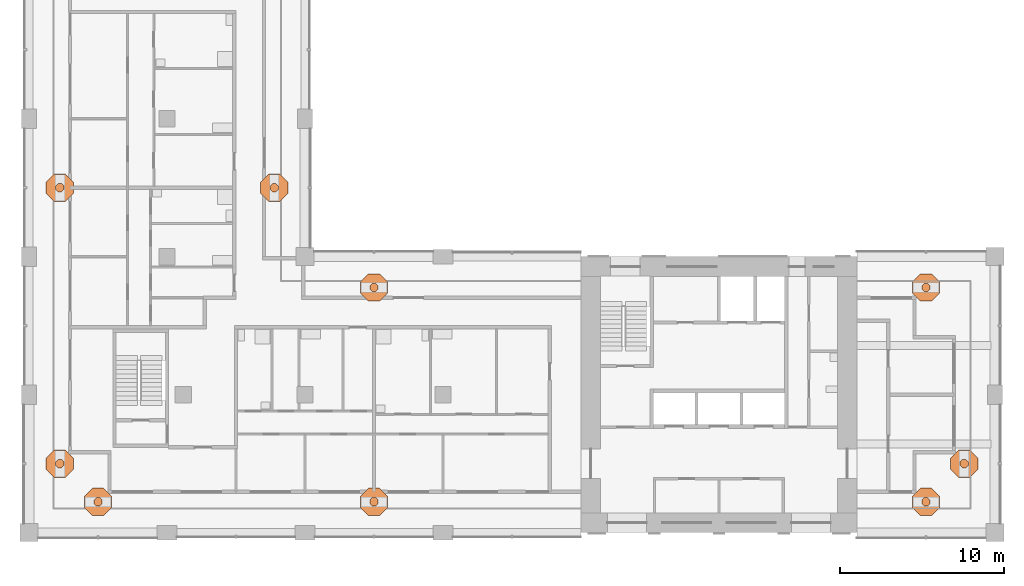
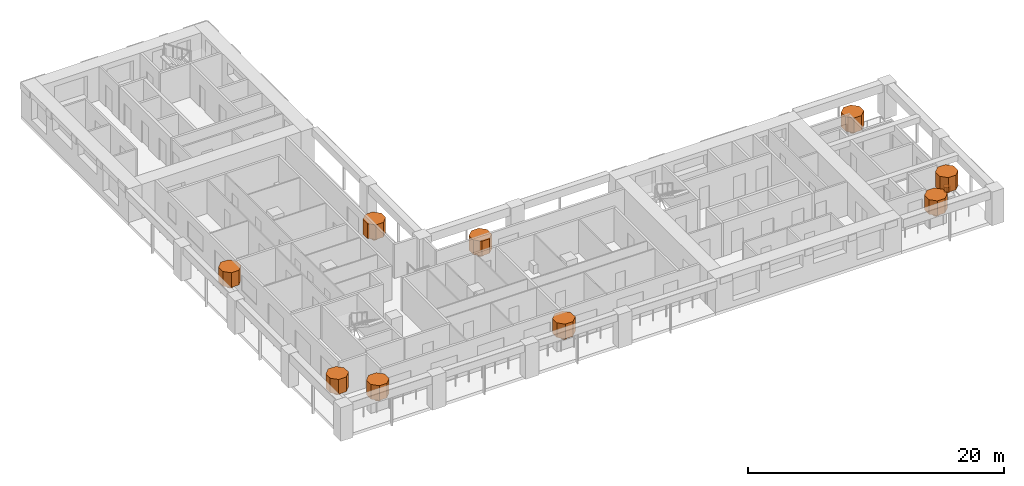
# One storey, part 13 of 13: 18 geographic elements.
"""IFC4 building model written with IfcOpenShell, lengths in metres."""

import ifcopenshell
import ifcopenshell.guid

model = None  # the IFC model being written
_history = None  # IfcOwnerHistory: only IFC2X3 demands one
_inside = {}  # id of a spatial element -> (the spatial element, [elements in it])
_under = {}  # id of a project, library or spatial element -> (it, [spatial elements below it])
_declared = {}  # id of a project -> (the project, [libraries it declares])
_typed = {}  # id of a type object -> (the type object, [elements of that type])
_made_of = {}  # id of a material, layer set ... -> (it, [elements and type objects made of it])


def new_model(schema):
    """Start an empty IFC model of exactly this schema.

    Asked for "IFC4X3", IfcOpenShell would pick the latest addendum, in which some entities
    have other attributes; the version numbers below select the first issue.
    IFC2X3 requires an IfcOwnerHistory on every rooted entity: one is made here for all.
    """
    global model, _history
    if schema == "IFC4X3":
        model = ifcopenshell.file(schema_version=(4, 3, 0, 0))
    else:
        model = ifcopenshell.file(schema=schema)
    _inside.clear()
    _under.clear()
    _declared.clear()
    _typed.clear()
    _made_of.clear()
    _history = None
    if model.schema == "IFC2X3":
        org = make("IfcOrganization", Name="unknown")
        user = make(
            "IfcPersonAndOrganization",
            ThePerson=make("IfcPerson", FamilyName="unknown"),
            TheOrganization=org,
        )
        app = make(
            "IfcApplication",
            ApplicationDeveloper=org,
            Version="unknown",
            ApplicationFullName="unknown",
            ApplicationIdentifier="unknown",
        )
        _history = make(
            "IfcOwnerHistory",
            OwningUser=user,
            OwningApplication=app,
            ChangeAction="ADDED",
            CreationDate=0,
        )
    return model


def make(cls, **values):
    """One entity of the class cls with the attributes given. An attribute that is None is left unset."""
    return model.create_entity(
        cls, **{name: value for name, value in values.items() if value is not None}
    )


def rooted(cls, **values):
    """An entity with a GlobalId (a new one), such as an element, a storey or a relation."""
    return make(cls, GlobalId=ifcopenshell.guid.new(), OwnerHistory=_history, **values)


def si_unit(unit_type, name, prefix=None):
    """IfcSIUnit, for example si_unit("LENGTHUNIT", "METRE", prefix="MILLI")."""
    return make("IfcSIUnit", UnitType=unit_type, Prefix=prefix, Name=name)


def assignment(units):
    """IfcUnitAssignment: the units of a project."""
    return None if units is None else make("IfcUnitAssignment", Units=units)


def point(xyz):
    """IfcCartesianPoint."""
    return None if xyz is None else make("IfcCartesianPoint", Coordinates=xyz)


def direction(xyz):
    """IfcDirection."""
    return None if xyz is None else make("IfcDirection", DirectionRatios=xyz)


def frame(location, z_axis=None, x_axis=None):
    """IfcAxis2Placement3D, a coordinate frame: its origin and axes. An axis left out is left unset."""
    return make(
        "IfcAxis2Placement3D",
        Location=point(location),
        Axis=direction(z_axis),
        RefDirection=direction(x_axis),
    )


def origin():
    """The frame at (0, 0, 0) with its axes left unset."""
    return frame((0.0, 0.0, 0.0))


def place(relative_to, where):
    """IfcLocalPlacement: puts the frame where relative to a parent placement (None: the world)."""
    return make(
        "IfcLocalPlacement", PlacementRelTo=relative_to, RelativePlacement=where
    )


def context(
    kind, dimensions, precision=None, world=None, true_north=None, identifier=None
):
    """IfcGeometricRepresentationContext, for example the 3D "Model" context."""
    return make(
        "IfcGeometricRepresentationContext",
        ContextIdentifier=identifier,
        ContextType=kind,
        CoordinateSpaceDimension=dimensions,
        Precision=precision,
        WorldCoordinateSystem=world,
        TrueNorth=true_north,
    )


def subcontext(parent, identifier, kind, view, scale=None):
    """IfcGeometricRepresentationSubContext, for example "Body" below "Model"."""
    return make(
        "IfcGeometricRepresentationSubContext",
        ContextIdentifier=identifier,
        ContextType=kind,
        ParentContext=parent,
        TargetScale=scale,
        TargetView=view,
    )


def project(units=None, contexts=None):
    """IfcProject with its units and contexts."""
    return rooted(
        "IfcProject",
        Name="project",
        RepresentationContexts=contexts,
        UnitsInContext=assignment(units),
    )


def spatial(cls, under=None, at=None, **own):
    """A site, building, storey or space (cls), placed at a placement, below another one or the project."""
    s = rooted(cls, ObjectPlacement=at, **own)
    if under is not None:
        _under.setdefault(under.id(), (under, []))[1].append(s)
    return s


def polyline(points):
    """IfcPolyline through the points."""
    return make("IfcPolyline", Points=[point(p) for p in points])


def outline(outer, holes=None, kind="AREA"):
    """IfcArbitraryClosedProfileDef: a profile drawn as a closed curve; with holes, ...WithVoids."""
    if holes is None:
        return make("IfcArbitraryClosedProfileDef", ProfileType=kind, OuterCurve=outer)
    return make(
        "IfcArbitraryProfileDefWithVoids",
        ProfileType=kind,
        OuterCurve=outer,
        InnerCurves=holes,
    )


def extrude(swept, where, along, depth):
    """IfcExtrudedAreaSolid: the profile swept, set in the frame where, extruded along a direction by depth."""
    return make(
        "IfcExtrudedAreaSolid",
        SweptArea=swept,
        Position=where,
        ExtrudedDirection=direction(along),
        Depth=depth,
    )


def shape(context_of_items, identifier, shape_type, items):
    """IfcShapeRepresentation: the items that make up one representation, for example the "Body"."""
    return make(
        "IfcShapeRepresentation",
        ContextOfItems=context_of_items,
        RepresentationIdentifier=identifier,
        RepresentationType=shape_type,
        Items=items,
    )


def material(Name=None, Category=None):
    """IfcMaterial."""
    return make("IfcMaterial", Name=Name, Category=Category)


def made_of(thing, what):
    """Note that an element or type object is made of a material, layer set ...; save() writes the relation."""
    if what is not None:
        _made_of.setdefault(what.id(), (what, []))[1].append(thing)
    return thing


def element(
    cls,
    number,
    at=None,
    inside=None,
    cuts=None,
    type_object=None,
    material=None,
    context=None,
    identifier="Body",
    shape_type=None,
    held_by="IfcProductDefinitionShape",
    body=None,
    shapes=None,
    **own,
):
    """One element of the class cls, such as IfcWall. Its Tag is "e" and its number.

    at: its placement. inside: the storey or other place that contains it. cuts: it is an
    opening in that element (IfcRelVoidsElement). A single representation is given by context,
    identifier, shape_type and body (its items); several are given by shapes. held_by: the class
    of the entity that holds the representations. save() writes the other relations.
    """
    e = rooted(cls, Tag="e%d" % number, ObjectPlacement=at, **own)
    if body is not None:
        shapes = [shape(context, identifier, shape_type, body)]
    if shapes is not None:
        e.Representation = make(held_by, Representations=shapes)
    if inside is not None:
        _inside.setdefault(inside.id(), (inside, []))[1].append(e)
    if cuts is not None:
        rooted(
            "IfcRelVoidsElement", RelatingBuildingElement=cuts, RelatedOpeningElement=e
        )
    if type_object is not None:
        _typed.setdefault(type_object.id(), (type_object, []))[1].append(e)
    return made_of(e, material)


def aggregate(whole, parts):
    """IfcRelAggregates: a whole, such as a stair, and the parts it consists of."""
    return rooted("IfcRelAggregates", RelatingObject=whole, RelatedObjects=parts)


def save(model, path):
    """Write the relations noted so far, then the file.

    IfcRelAggregates (storeys below a building ...), IfcRelContainedInSpatialStructure (elements
    in a storey), IfcRelDefinesByType, IfcRelAssociatesMaterial and IfcRelDeclares: one each for
    every whole, place, type object, material and project.
    """
    for whole, parts in _under.values():
        aggregate(whole, parts)
    for where, things in _inside.values():
        rooted(
            "IfcRelContainedInSpatialStructure",
            RelatedElements=things,
            RelatingStructure=where,
        )
    for kind, things in _typed.values():
        rooted("IfcRelDefinesByType", RelatedObjects=things, RelatingType=kind)
    for what, things in _made_of.values():
        rooted("IfcRelAssociatesMaterial", RelatedObjects=things, RelatingMaterial=what)
    for by, libraries in _declared.values():
        rooted("IfcRelDeclares", RelatingContext=by, RelatedDefinitions=libraries)
    model.write(path)


model = new_model("IFC4")

# Units and contexts
model_context = context("Model", 3, precision=1e-05, world=origin(), true_north=direction((0.0, 1.0)))
body_context = subcontext(model_context, "Body", "Model", "MODEL_VIEW")
ifc_project = project(units=[si_unit("LENGTHUNIT", "METRE"), si_unit("AREAUNIT", "SQUARE_METRE"), si_unit("VOLUMEUNIT", "CUBIC_METRE"), si_unit("PLANEANGLEUNIT", "RADIAN"), si_unit("MASSUNIT", "GRAM", prefix="KILO")], contexts=[model_context])

# Site, building, storey
site_placement = place(None, origin())
site = spatial("IfcSite", under=ifc_project, at=site_placement, CompositionType="ELEMENT")
building_placement = place(site_placement, origin())
building = spatial("IfcBuilding", under=site, at=building_placement, Name="Vermilion Gate Residences", CompositionType="ELEMENT")
storey_placement = place(building_placement, frame((0.0, 0.0, 179.199951171875)))
storey = spatial("IfcBuildingStorey", under=building, at=storey_placement, Name="L46", CompositionType="ELEMENT", Elevation=179.199951171875)

# Geographic elements
ifc_material = material(Name="Foliage")
geographic_element_1_placement = place(storey_placement, frame((0.0, 0.0, 0.900146484375)))
element("IfcGeographicElement", 1, at=geographic_element_1_placement, inside=storey, material=ifc_material, Name="Tree (black pine)", ObjectType="TREE", PredefinedType="USERDEFINED", context=body_context, shape_type="SweptSolid", body=[
    extrude(outline(polyline([(12.85400390625, 10.380126953125), (12.705078125, 10.529052734375), (12.494873046875, 10.529052734375), (12.345947265625, 10.380126953125), (12.345947265625, 10.169921875), (12.494873046875, 10.02099609375), (12.705078125, 10.02099609375), (12.85400390625, 10.169921875), (12.85400390625, 10.380126953125)])), origin(), (0.0, 0.0, 1.0), 0.52001953125),
])
geographic_element_2_placement = place(storey_placement, frame((0.0, 0.0, 1.420166015625)))
element("IfcGeographicElement", 2, at=geographic_element_2_placement, inside=storey, material=ifc_material, Name="Tree crown (black pine)", ObjectType="TREE", PredefinedType="USERDEFINED", context=body_context, shape_type="SweptSolid", body=[
    extrude(outline(polyline([(13.431396484375, 10.619384765625), (12.9443359375, 11.1064453125), (12.255615234375, 11.1064453125), (11.7685546875, 10.619384765625), (11.7685546875, 9.9306640625), (12.255615234375, 9.443603515625), (12.9443359375, 9.443603515625), (13.431396484375, 9.9306640625), (13.431396484375, 10.619384765625)])), origin(), (0.0, 0.0, 1.0), 1.39990234375),
])
geographic_element_3_placement = place(storey_placement, frame((0.0, 0.0, 0.900146484375)))
element("IfcGeographicElement", 3, at=geographic_element_3_placement, inside=storey, material=ifc_material, Name="Tree (maple)", ObjectType="TREE", PredefinedType="USERDEFINED", context=body_context, shape_type="SweptSolid", body=[
    extrude(outline(polyline([(29.654052734375, 10.380126953125), (29.505126953125, 10.529052734375), (29.294921875, 10.529052734375), (29.14599609375, 10.380126953125), (29.14599609375, 10.169921875), (29.294921875, 10.02099609375), (29.505126953125, 10.02099609375), (29.654052734375, 10.169921875), (29.654052734375, 10.380126953125)])), origin(), (0.0, 0.0, 1.0), 0.52001953125),
])
geographic_element_4_placement = place(storey_placement, frame((0.0, 0.0, 1.420166015625)))
element("IfcGeographicElement", 4, at=geographic_element_4_placement, inside=storey, material=ifc_material, Name="Tree crown (maple)", ObjectType="TREE", PredefinedType="USERDEFINED", context=body_context, shape_type="SweptSolid", body=[
    extrude(outline(polyline([(30.2314453125, 10.619384765625), (29.744384765625, 11.1064453125), (29.0556640625, 11.1064453125), (28.568603515625, 10.619384765625), (28.568603515625, 9.9306640625), (29.0556640625, 9.443603515625), (29.744384765625, 9.443603515625), (30.2314453125, 9.9306640625), (30.2314453125, 10.619384765625)])), origin(), (0.0, 0.0, 1.0), 1.39990234375),
])
geographic_element_5_placement = place(storey_placement, frame((0.0, 0.0, 0.900146484375)))
element("IfcGeographicElement", 5, at=geographic_element_5_placement, inside=storey, material=ifc_material, Name="Tree (maple)", ObjectType="TREE", PredefinedType="USERDEFINED", context=body_context, shape_type="SweptSolid", body=[
    extrude(outline(polyline([(63.254150390625, 10.380126953125), (63.105224609375, 10.529052734375), (62.894775390625, 10.529052734375), (62.745849609375, 10.380126953125), (62.745849609375, 10.169921875), (62.894775390625, 10.02099609375), (63.105224609375, 10.02099609375), (63.254150390625, 10.169921875), (63.254150390625, 10.380126953125)])), origin(), (0.0, 0.0, 1.0), 0.52001953125),
])
geographic_element_6_placement = place(storey_placement, frame((0.0, 0.0, 1.420166015625)))
element("IfcGeographicElement", 6, at=geographic_element_6_placement, inside=storey, material=ifc_material, Name="Tree crown (maple)", ObjectType="TREE", PredefinedType="USERDEFINED", context=body_context, shape_type="SweptSolid", body=[
    extrude(outline(polyline([(63.83154296875, 10.619384765625), (63.344482421875, 11.1064453125), (62.655517578125, 11.1064453125), (62.16845703125, 10.619384765625), (62.16845703125, 9.9306640625), (62.655517578125, 9.443603515625), (63.344482421875, 9.443603515625), (63.83154296875, 9.9306640625), (63.83154296875, 10.619384765625)])), origin(), (0.0, 0.0, 1.0), 1.39990234375),
])
geographic_element_7_placement = place(storey_placement, frame((0.0, 0.0, 0.900146484375)))
element("IfcGeographicElement", 7, at=geographic_element_7_placement, inside=storey, material=ifc_material, Name="Tree (black pine)", ObjectType="TREE", PredefinedType="USERDEFINED", context=body_context, shape_type="SweptSolid", body=[
    extrude(outline(polyline([(65.5791015625, 12.705078125), (65.43017578125, 12.85400390625), (65.2197265625, 12.85400390625), (65.07080078125, 12.705078125), (65.07080078125, 12.494873046875), (65.2197265625, 12.345947265625), (65.43017578125, 12.345947265625), (65.5791015625, 12.494873046875), (65.5791015625, 12.705078125)])), origin(), (0.0, 0.0, 1.0), 0.52001953125),
])
geographic_element_8_placement = place(storey_placement, frame((0.0, 0.0, 1.420166015625)))
element("IfcGeographicElement", 8, at=geographic_element_8_placement, inside=storey, material=ifc_material, Name="Tree crown (black pine)", ObjectType="TREE", PredefinedType="USERDEFINED", context=body_context, shape_type="SweptSolid", body=[
    extrude(outline(polyline([(66.156494140625, 12.9443359375), (65.66943359375, 13.431396484375), (64.980712890625, 13.431396484375), (64.493408203125, 12.9443359375), (64.493408203125, 12.255615234375), (64.980712890625, 11.7685546875), (65.66943359375, 11.7685546875), (66.156494140625, 12.255615234375), (66.156494140625, 12.9443359375)])), origin(), (0.0, 0.0, 1.0), 1.39990234375),
])
geographic_element_9_placement = place(storey_placement, frame((0.0, 0.0, 0.900146484375)))
element("IfcGeographicElement", 9, at=geographic_element_9_placement, inside=storey, material=ifc_material, Name="Tree (maple)", ObjectType="TREE", PredefinedType="USERDEFINED", context=body_context, shape_type="SweptSolid", body=[
    extrude(outline(polyline([(29.654052734375, 23.43017578125), (29.505126953125, 23.5791015625), (29.294921875, 23.5791015625), (29.14599609375, 23.43017578125), (29.14599609375, 23.2197265625), (29.294921875, 23.07080078125), (29.505126953125, 23.07080078125), (29.654052734375, 23.2197265625), (29.654052734375, 23.43017578125)])), origin(), (0.0, 0.0, 1.0), 0.52001953125),
])
geographic_element_10_placement = place(storey_placement, frame((0.0, 0.0, 1.420166015625)))
element("IfcGeographicElement", 10, at=geographic_element_10_placement, inside=storey, material=ifc_material, Name="Tree crown (maple)", ObjectType="TREE", PredefinedType="USERDEFINED", context=body_context, shape_type="SweptSolid", body=[
    extrude(outline(polyline([(30.2314453125, 23.66943359375), (29.744384765625, 24.156494140625), (29.0556640625, 24.156494140625), (28.568603515625, 23.66943359375), (28.568603515625, 22.980712890625), (29.0556640625, 22.493408203125), (29.744384765625, 22.493408203125), (30.2314453125, 22.980712890625), (30.2314453125, 23.66943359375)])), origin(), (0.0, 0.0, 1.0), 1.39990234375),
])
geographic_element_11_placement = place(storey_placement, frame((0.0, 0.0, 0.900146484375)))
element("IfcGeographicElement", 11, at=geographic_element_11_placement, inside=storey, material=ifc_material, Name="Tree (maple)", ObjectType="TREE", PredefinedType="USERDEFINED", context=body_context, shape_type="SweptSolid", body=[
    extrude(outline(polyline([(63.254150390625, 23.43017578125), (63.105224609375, 23.5791015625), (62.894775390625, 23.5791015625), (62.745849609375, 23.43017578125), (62.745849609375, 23.2197265625), (62.894775390625, 23.07080078125), (63.105224609375, 23.07080078125), (63.254150390625, 23.2197265625), (63.254150390625, 23.43017578125)])), origin(), (0.0, 0.0, 1.0), 0.52001953125),
])
geographic_element_12_placement = place(storey_placement, frame((0.0, 0.0, 1.420166015625)))
element("IfcGeographicElement", 12, at=geographic_element_12_placement, inside=storey, material=ifc_material, Name="Tree crown (maple)", ObjectType="TREE", PredefinedType="USERDEFINED", context=body_context, shape_type="SweptSolid", body=[
    extrude(outline(polyline([(63.83154296875, 23.66943359375), (63.344482421875, 24.156494140625), (62.655517578125, 24.156494140625), (62.16845703125, 23.66943359375), (62.16845703125, 22.980712890625), (62.655517578125, 22.493408203125), (63.344482421875, 22.493408203125), (63.83154296875, 22.980712890625), (63.83154296875, 23.66943359375)])), origin(), (0.0, 0.0, 1.0), 1.39990234375),
])
geographic_element_13_placement = place(storey_placement, frame((0.0, 0.0, 0.900146484375)))
element("IfcGeographicElement", 13, at=geographic_element_13_placement, inside=storey, material=ifc_material, Name="Tree (maple)", ObjectType="TREE", PredefinedType="USERDEFINED", context=body_context, shape_type="SweptSolid", body=[
    extrude(outline(polyline([(23.5791015625, 29.505126953125), (23.43017578125, 29.654052734375), (23.2197265625, 29.654052734375), (23.07080078125, 29.505126953125), (23.07080078125, 29.294921875), (23.2197265625, 29.14599609375), (23.43017578125, 29.14599609375), (23.5791015625, 29.294921875), (23.5791015625, 29.505126953125)])), origin(), (0.0, 0.0, 1.0), 0.52001953125),
])
geographic_element_14_placement = place(storey_placement, frame((0.0, 0.0, 1.420166015625)))
element("IfcGeographicElement", 14, at=geographic_element_14_placement, inside=storey, material=ifc_material, Name="Tree crown (maple)", ObjectType="TREE", PredefinedType="USERDEFINED", context=body_context, shape_type="SweptSolid", body=[
    extrude(outline(polyline([(24.156494140625, 29.744384765625), (23.66943359375, 30.2314453125), (22.980712890625, 30.2314453125), (22.493408203125, 29.744384765625), (22.493408203125, 29.0556640625), (22.980712890625, 28.568603515625), (23.66943359375, 28.568603515625), (24.156494140625, 29.0556640625), (24.156494140625, 29.744384765625)])), origin(), (0.0, 0.0, 1.0), 1.39990234375),
])
geographic_element_15_placement = place(storey_placement, frame((0.0, 0.0, 0.900146484375)))
element("IfcGeographicElement", 15, at=geographic_element_15_placement, inside=storey, material=ifc_material, Name="Tree (black pine)", ObjectType="TREE", PredefinedType="USERDEFINED", context=body_context, shape_type="SweptSolid", body=[
    extrude(outline(polyline([(10.529052734375, 12.705078125), (10.380126953125, 12.85400390625), (10.169921875, 12.85400390625), (10.02099609375, 12.705078125), (10.02099609375, 12.494873046875), (10.169921875, 12.345947265625), (10.380126953125, 12.345947265625), (10.529052734375, 12.494873046875), (10.529052734375, 12.705078125)])), origin(), (0.0, 0.0, 1.0), 0.52001953125),
])
geographic_element_16_placement = place(storey_placement, frame((0.0, 0.0, 1.420166015625)))
element("IfcGeographicElement", 16, at=geographic_element_16_placement, inside=storey, material=ifc_material, Name="Tree crown (black pine)", ObjectType="TREE", PredefinedType="USERDEFINED", context=body_context, shape_type="SweptSolid", body=[
    extrude(outline(polyline([(11.1064453125, 12.9443359375), (10.619384765625, 13.431396484375), (9.9306640625, 13.431396484375), (9.443603515625, 12.9443359375), (9.443603515625, 12.255615234375), (9.9306640625, 11.7685546875), (10.619384765625, 11.7685546875), (11.1064453125, 12.255615234375), (11.1064453125, 12.9443359375)])), origin(), (0.0, 0.0, 1.0), 1.39990234375),
])
geographic_element_17_placement = place(storey_placement, frame((0.0, 0.0, 0.900146484375)))
element("IfcGeographicElement", 17, at=geographic_element_17_placement, inside=storey, material=ifc_material, Name="Tree (maple)", ObjectType="TREE", PredefinedType="USERDEFINED", context=body_context, shape_type="SweptSolid", body=[
    extrude(outline(polyline([(10.529052734375, 29.505126953125), (10.380126953125, 29.654052734375), (10.169921875, 29.654052734375), (10.02099609375, 29.505126953125), (10.02099609375, 29.294921875), (10.169921875, 29.14599609375), (10.380126953125, 29.14599609375), (10.529052734375, 29.294921875), (10.529052734375, 29.505126953125)])), origin(), (0.0, 0.0, 1.0), 0.52001953125),
])
geographic_element_18_placement = place(storey_placement, frame((0.0, 0.0, 1.420166015625)))
element("IfcGeographicElement", 18, at=geographic_element_18_placement, inside=storey, material=ifc_material, Name="Tree crown (maple)", ObjectType="TREE", PredefinedType="USERDEFINED", context=body_context, shape_type="SweptSolid", body=[
    extrude(outline(polyline([(11.1064453125, 29.744384765625), (10.619384765625, 30.2314453125), (9.9306640625, 30.2314453125), (9.443603515625, 29.744384765625), (9.443603515625, 29.0556640625), (9.9306640625, 28.568603515625), (10.619384765625, 28.568603515625), (11.1064453125, 29.0556640625), (11.1064453125, 29.744384765625)])), origin(), (0.0, 0.0, 1.0), 1.39990234375),
])

save(model, "model.ifc")
